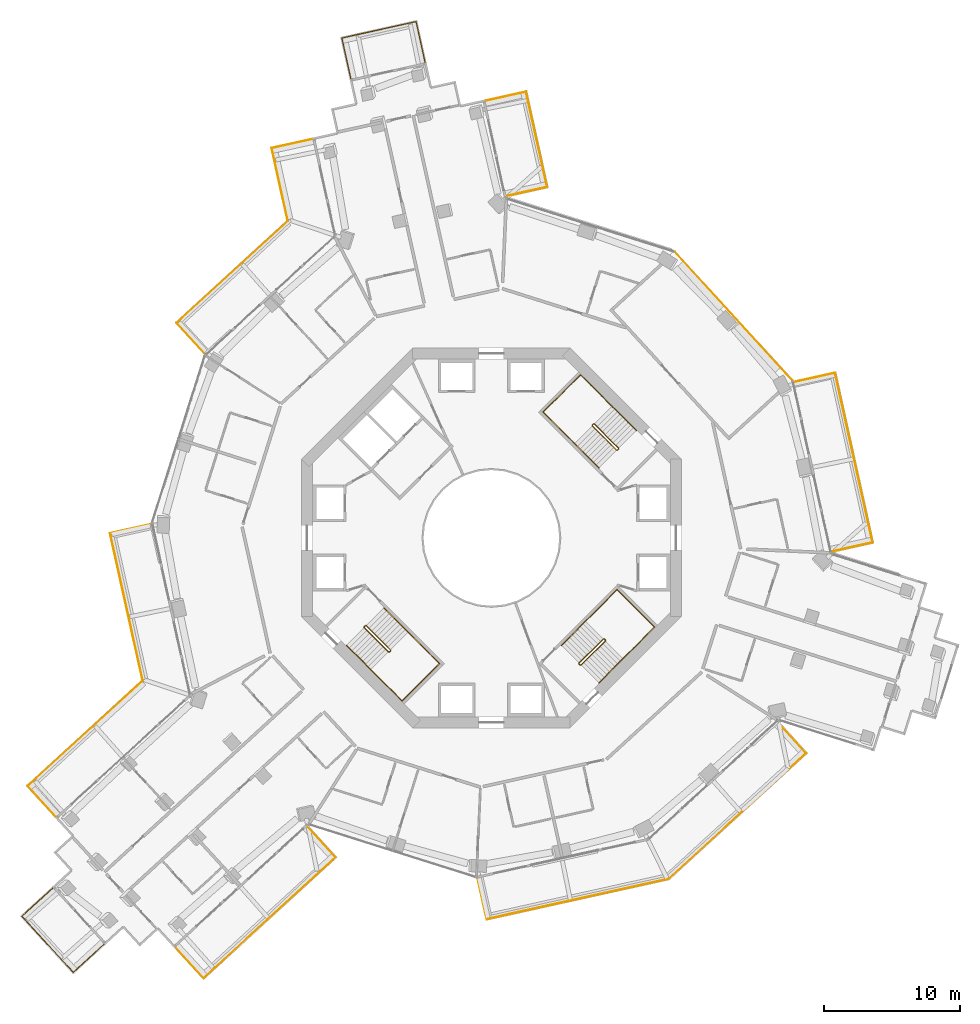
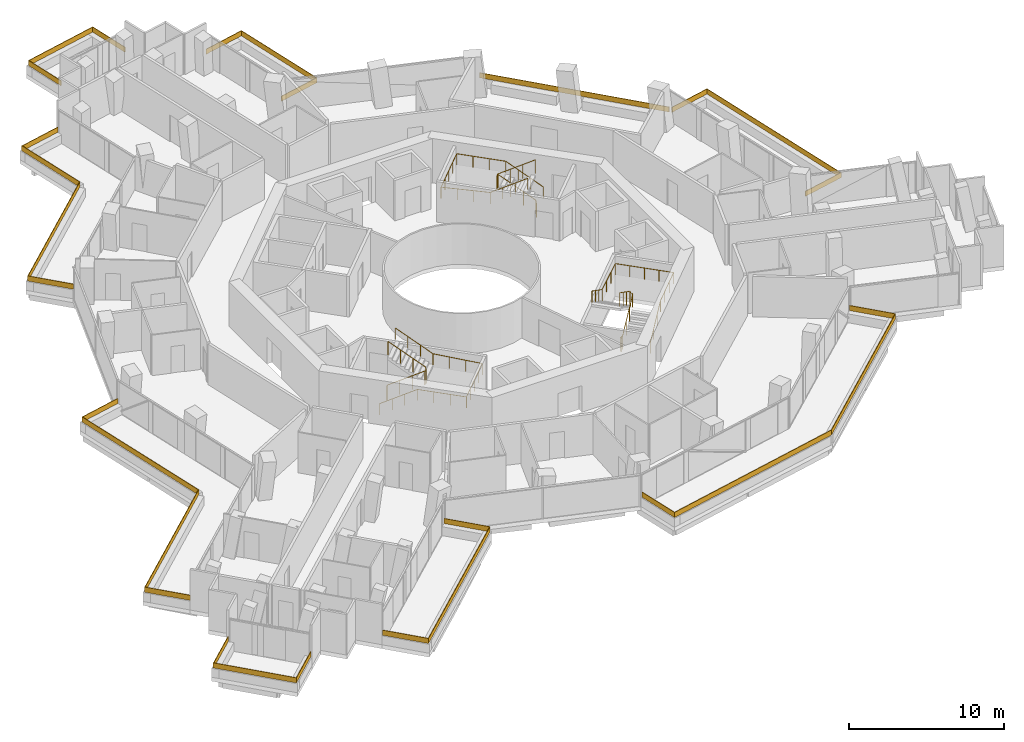
# One storey, part 24 of 24: 15 railings.
"""IFC4 building model written with IfcOpenShell, lengths in metres."""

from ifc_helpers import new_model, si_unit, direction, frame, origin, origin_2d, place, context, subcontext, project, spatial, polyline, rectangle, circle, outline, extrude, material, layer, layer_set, type_object, element, save


model = new_model("IFC4")

# Units and contexts
model_context = context("Model", 3, precision=1e-05, world=origin(), true_north=direction((0.0, 1.0)))
body_context = subcontext(model_context, "Body", "Model", "MODEL_VIEW")
ifc_project = project(units=[si_unit("LENGTHUNIT", "METRE"), si_unit("AREAUNIT", "SQUARE_METRE"), si_unit("VOLUMEUNIT", "CUBIC_METRE"), si_unit("PLANEANGLEUNIT", "RADIAN"), si_unit("MASSUNIT", "GRAM", prefix="KILO")], contexts=[model_context])

# Site, building, storey
site_placement = place(None, origin())
site = spatial("IfcSite", under=ifc_project, at=site_placement, CompositionType="ELEMENT")
building_placement = place(site_placement, origin())
building = spatial("IfcBuilding", under=site, at=building_placement, Name="Verdalira Terraces Hotel", CompositionType="ELEMENT")
storey_placement = place(building_placement, frame((0.0, 0.0, 86.0)))
storey = spatial("IfcBuildingStorey", under=building, at=storey_placement, Name="L19", CompositionType="ELEMENT", Elevation=86.0)

# Railings
ifc_material_1 = material(Name="Laminated glass", Category="glass")
ifc_layer = layer(ifc_material_1, 0.0400390625)
ifc_layer_set = layer_set([ifc_layer], Name="Balcony glass guard 400")
railing_type_1 = type_object("IfcRailingType", Name="Balcony glass guard 400", PredefinedType="GUARDRAIL", material=ifc_layer_set)
railing_1_placement = place(storey_placement, frame((0.0, 0.0, 0.699951)))
element("IfcRailing", 1, at=railing_1_placement, inside=storey, type_object=railing_type_1, Name="Balcony glass guard", PredefinedType="GUARDRAIL", context=body_context, shape_type="SweptSolid", body=[
    extrude(outline(polyline([(-5.568115, 38.022217), (-10.996826, 36.820557), (-10.331299, 33.814453), (-10.370361, 33.805664), (-11.044434, 36.851074), (-5.537598, 38.069824), (-4.86377, 35.024658), (-4.902832, 35.015869), (-5.568115, 38.022217)])), origin(), (0.0, 0.0, 1.0), 0.400146),
])
railing_2_placement = place(storey_placement, frame((0.0, 0.0, 0.699951)))
element("IfcRailing", 2, at=railing_2_placement, inside=storey, type_object=railing_type_1, Name="Balcony glass guard", PredefinedType="GUARDRAIL", context=body_context, shape_type="SweptSolid", body=[
    extrude(outline(polyline([(-16.166504, 28.711914), (-14.980225, 23.351074), (-23.167725, 15.85376), (-21.088379, 13.583008), (-21.11792, 13.555908), (-23.224365, 15.856201), (-15.02417, 23.36499), (-16.214355, 28.742188), (-13.168945, 29.41626), (-13.1604, 29.377197), (-16.166504, 28.711914)])), origin(), (0.0, 0.0, 1.0), 0.400146),
])
railing_3_placement = place(storey_placement, frame((0.0, 0.0, 0.699951)))
element("IfcRailing", 3, at=railing_3_placement, inside=storey, type_object=railing_type_1, Name="Balcony glass guard", PredefinedType="GUARDRAIL", context=body_context, shape_type="SweptSolid", body=[
    extrude(outline(polyline([(-28.071045, 0.321533), (-25.672119, -10.518066), (-34.14624, -18.277832), (-32.066895, -20.548584), (-32.096436, -20.575684), (-34.202881, -18.275391), (-25.716064, -10.50415), (-28.118896, 0.351807), (-25.073486, 1.025879), (-25.064941, 0.986816), (-28.071045, 0.321533)])), origin(), (0.0, 0.0, 1.0), 0.400146),
])
railing_4_placement = place(storey_placement, frame((0.0, 0.0, 0.699951)))
element("IfcRailing", 4, at=railing_4_placement, inside=storey, type_object=railing_type_1, Name="Balcony glass guard", PredefinedType="GUARDRAIL", context=body_context, shape_type="SweptSolid", body=[
    extrude(outline(polyline([(-34.569092, -27.885254), (-30.814453, -31.98584), (-28.543457, -29.906494), (-28.516602, -29.936035), (-30.816895, -32.042236), (-34.625732, -27.882812), (-32.325439, -25.776367), (-32.29834, -25.805908), (-34.569092, -27.885254)])), origin(), (0.0, 0.0, 1.0), 0.400146),
])
railing_5_placement = place(storey_placement, frame((0.0, 0.0, 0.699951)))
element("IfcRailing", 5, at=railing_5_placement, inside=storey, type_object=railing_type_1, Name="Balcony glass guard", PredefinedType="GUARDRAIL", context=body_context, shape_type="SweptSolid", body=[
    extrude(outline(polyline([(-21.207031, -32.408691), (-11.509766, -23.528809), (-13.589111, -21.258057), (-13.55957, -21.230957), (-11.453125, -23.53125), (-21.209473, -32.465088), (-23.315918, -30.164795), (-23.286377, -30.137695), (-21.207031, -32.408691)])), origin(), (0.0, 0.0, 1.0), 0.400146),
])
railing_6_placement = place(storey_placement, frame((0.0, 0.0, 0.699951)))
element("IfcRailing", 6, at=railing_6_placement, inside=storey, type_object=railing_type_1, Name="Balcony glass guard", PredefinedType="GUARDRAIL", context=body_context, shape_type="SweptSolid", body=[
    extrude(outline(polyline([(-0.321533, -28.071045), (13.060059, -25.109375), (23.167725, -15.85376), (21.088379, -13.583008), (21.11792, -13.555908), (23.224365, -15.856201), (13.079102, -25.14624), (-0.351807, -28.118896), (-1.025879, -25.073486), (-0.986816, -25.064941), (-0.321533, -28.071045)])), origin(), (0.0, 0.0, 1.0), 0.400146),
])
railing_7_placement = place(storey_placement, frame((0.0, 0.0, 0.699951)))
element("IfcRailing", 7, at=railing_7_placement, inside=storey, type_object=railing_type_1, Name="Balcony glass guard", PredefinedType="GUARDRAIL", context=body_context, shape_type="SweptSolid", body=[
    extrude(outline(polyline([(28.071045, -0.321533), (25.313721, 12.136963), (22.307373, 11.47168), (22.298828, 11.510742), (25.343994, 12.184814), (28.118896, -0.351807), (25.073486, -1.025879), (25.064941, -0.986816), (28.071045, -0.321533)])), origin(), (0.0, 0.0, 1.0), 0.400146),
])
railing_8_placement = place(storey_placement, frame((0.0, 0.0, 0.699951)))
element("IfcRailing", 8, at=railing_8_placement, inside=storey, type_object=railing_type_1, Name="Balcony glass guard", PredefinedType="GUARDRAIL", context=body_context, shape_type="SweptSolid", body=[
    extrude(outline(polyline([(4.085449, 25.872559), (2.540771, 32.852295), (-0.465576, 32.187012), (-0.474121, 32.226074), (2.571045, 32.899902), (4.133301, 25.842041), (1.087891, 25.168213), (1.079346, 25.207275), (4.085449, 25.872559)])), origin(), (0.0, 0.0, 1.0), 0.400146),
])
railing_9_placement = place(storey_placement, frame((17.854004, 16.348633, 0.699951), z_axis=(0.0, 0.0, 1.0), x_axis=(-0.675332808, 0.737513117, 0.0)))
element("IfcRailing", 9, at=railing_9_placement, inside=storey, type_object=railing_type_1, Name="Loggia glass guard", PredefinedType="GUARDRAIL", context=body_context, shape_type="SweptSolid", body=[
    extrude(rectangle(XDim=12.840088, YDim=0.040039, at=origin_2d()), origin(), (0.0, 0.0, 1.0), 0.399902),
])
ifc_material_2 = material(Name="Stainless steel", Category="steel")
railing_type_2 = type_object("IfcRailingType", Name="Stair guard 1100", PredefinedType="GUARDRAIL", material=ifc_material_2)
railing_10_placement = place(storey_placement, frame((9.369141, 6.540771, 0.0)))
element("IfcRailing", 10, at=railing_10_placement, inside=storey, type_object=railing_type_2, Name="L19 ST1 stair guard 1", PredefinedType="GUARDRAIL", context=body_context, shape_type="SweptSolid", body=[
    extrude(circle(Radius=0.023926, at=origin_2d()), frame((0.0, 0.0, 1.076172), z_axis=(-0.707106781, -0.707106781, 0.0), x_axis=(0.707106781, -0.707106781, 0.0)), (0.0, 0.0, 1.0), 0.100098),
    extrude(circle(Radius=0.023926, at=origin_2d()), frame((-0.070801, -0.070801, 1.076172), z_axis=(0.300162975, 0.599290904, 0.742127078), x_axis=(-0.894118129, 0.447831187, 0.0)), (0.0, 0.0, 1.0), 0.23584),
    extrude(circle(Radius=0.023926, at=origin_2d()), frame((0.0, 0.070557, 1.250977), z_axis=(-0.599637504, 0.599637504, 0.52997144), x_axis=(-0.707106781, -0.707106781, 0.0)), (0.0, 0.0, 1.0), 2.97168),
    extrude(circle(Radius=0.023926, at=origin_2d()), frame((-1.781982, 1.852539, 2.826172), z_axis=(-1.0, 0.0, 0.0), x_axis=(0.0, -1.0, 0.0)), (0.0, 0.0, 1.0), 0.070557),
    extrude(circle(Radius=0.023926, at=origin_2d()), frame((-1.852539, 1.852539, 2.826172), z_axis=(-0.70832698, -0.705884473, 0.0), x_axis=(0.705884473, -0.70832698, 0.0)), (0.0, 0.0, 1.0), 0.099854),
    extrude(circle(Radius=0.023926, at=origin_2d()), frame((-1.92334, 1.781982, 2.826172), z_axis=(0.0, -0.374954687, 0.92704314), x_axis=(1.0, 0.0, 0.0)), (0.0, 0.0, 1.0), 0.188721),
    extrude(circle(Radius=0.023926, at=origin_2d()), frame((-1.92334, 1.711182, 3.000977), z_axis=(0.599637504, -0.599637504, 0.52997144), x_axis=(0.707106781, 0.707106781, 0.0)), (0.0, 0.0, 1.0), 2.97168),
    extrude(circle(Radius=0.020996, at=origin_2d()), origin(), (0.0, 0.0, 1.0), 1.052002),
    extrude(circle(Radius=0.020996, at=origin_2d()), frame((-0.070801, -0.070801, 0.0)), (0.0, 0.0, 1.0), 1.052002),
    extrude(circle(Radius=0.020996, at=origin_2d()), frame((0.0, 0.070557, 0.175049)), (0.0, 0.0, 1.0), 1.052002),
    extrude(circle(Radius=0.020996, at=origin_2d()), frame((-0.593994, 0.664551, 0.699951)), (0.0, 0.0, 1.0), 1.052002),
    extrude(circle(Radius=0.020996, at=origin_2d()), frame((-1.187988, 1.258545, 1.225098)), (0.0, 0.0, 1.0), 1.052002),
    extrude(circle(Radius=0.020996, at=origin_2d()), frame((-1.781982, 1.852539, 1.75)), (0.0, 0.0, 1.0), 1.052002),
    extrude(circle(Radius=0.020996, at=origin_2d()), frame((-1.852539, 1.852539, 1.75)), (0.0, 0.0, 1.0), 1.052002),
    extrude(circle(Radius=0.020996, at=origin_2d()), frame((-1.92334, 1.781982, 1.75)), (0.0, 0.0, 1.0), 1.052002),
    extrude(circle(Radius=0.020996, at=origin_2d()), frame((-1.92334, 1.711182, 1.925049)), (0.0, 0.0, 1.0), 1.052002),
    extrude(circle(Radius=0.020996, at=origin_2d()), frame((-1.329346, 1.117188, 2.449951)), (0.0, 0.0, 1.0), 1.052002),
    extrude(circle(Radius=0.020996, at=origin_2d()), frame((-0.735352, 0.523193, 2.975098)), (0.0, 0.0, 1.0), 1.052002),
    extrude(circle(Radius=0.020996, at=origin_2d()), frame((-0.141357, -0.070801, 3.5)), (0.0, 0.0, 1.0), 1.052002),
])
railing_11_placement = place(storey_placement, frame((-9.369141, -6.540771, 0.0)))
element("IfcRailing", 11, at=railing_11_placement, inside=storey, type_object=railing_type_2, Name="L19 ST2 stair guard 1", PredefinedType="GUARDRAIL", context=body_context, shape_type="SweptSolid", body=[
    extrude(circle(Radius=0.023926, at=origin_2d()), frame((0.0, 0.0, 1.076172), z_axis=(0.707106781, 0.707106781, 0.0), x_axis=(-0.707106781, 0.707106781, 0.0)), (0.0, 0.0, 1.0), 0.100098),
    extrude(circle(Radius=0.023926, at=origin_2d()), frame((0.070801, 0.070801, 1.076172), z_axis=(-0.300162975, -0.599290904, 0.742127078), x_axis=(0.894118129, -0.447831187, 0.0)), (0.0, 0.0, 1.0), 0.23584),
    extrude(circle(Radius=0.023926, at=origin_2d()), frame((0.0, -0.070557, 1.250977), z_axis=(0.599637504, -0.599637504, 0.52997144), x_axis=(0.707106781, 0.707106781, 0.0)), (0.0, 0.0, 1.0), 2.97168),
    extrude(circle(Radius=0.023926, at=origin_2d()), frame((1.781982, -1.852539, 2.826172), z_axis=(1.0, 0.0, 0.0), x_axis=(0.0, 1.0, 0.0)), (0.0, 0.0, 1.0), 0.070557),
    extrude(circle(Radius=0.023926, at=origin_2d()), frame((1.852539, -1.852539, 2.826172), z_axis=(0.70832698, 0.705884473, 0.0), x_axis=(-0.705884473, 0.70832698, 0.0)), (0.0, 0.0, 1.0), 0.099854),
    extrude(circle(Radius=0.023926, at=origin_2d()), frame((1.92334, -1.781982, 2.826172), z_axis=(0.0, 0.374954687, 0.92704314), x_axis=(-1.0, 0.0, 0.0)), (0.0, 0.0, 1.0), 0.188721),
    extrude(circle(Radius=0.023926, at=origin_2d()), frame((1.92334, -1.711182, 3.000977), z_axis=(-0.599637504, 0.599637504, 0.52997144), x_axis=(-0.707106781, -0.707106781, 0.0)), (0.0, 0.0, 1.0), 2.97168),
    extrude(circle(Radius=0.020996, at=origin_2d()), origin(), (0.0, 0.0, 1.0), 1.052002),
    extrude(circle(Radius=0.020996, at=origin_2d()), frame((0.070801, 0.070801, 0.0)), (0.0, 0.0, 1.0), 1.052002),
    extrude(circle(Radius=0.020996, at=origin_2d()), frame((0.0, -0.070557, 0.175049)), (0.0, 0.0, 1.0), 1.052002),
    extrude(circle(Radius=0.020996, at=origin_2d()), frame((0.593994, -0.664551, 0.699951)), (0.0, 0.0, 1.0), 1.052002),
    extrude(circle(Radius=0.020996, at=origin_2d()), frame((1.187988, -1.258545, 1.225098)), (0.0, 0.0, 1.0), 1.052002),
    extrude(circle(Radius=0.020996, at=origin_2d()), frame((1.781982, -1.852539, 1.75)), (0.0, 0.0, 1.0), 1.052002),
    extrude(circle(Radius=0.020996, at=origin_2d()), frame((1.852539, -1.852539, 1.75)), (0.0, 0.0, 1.0), 1.052002),
    extrude(circle(Radius=0.020996, at=origin_2d()), frame((1.92334, -1.781982, 1.75)), (0.0, 0.0, 1.0), 1.052002),
    extrude(circle(Radius=0.020996, at=origin_2d()), frame((1.92334, -1.711182, 1.925049)), (0.0, 0.0, 1.0), 1.052002),
    extrude(circle(Radius=0.020996, at=origin_2d()), frame((1.329346, -1.117188, 2.449951)), (0.0, 0.0, 1.0), 1.052002),
    extrude(circle(Radius=0.020996, at=origin_2d()), frame((0.735352, -0.523193, 2.975098)), (0.0, 0.0, 1.0), 1.052002),
    extrude(circle(Radius=0.020996, at=origin_2d()), frame((0.141357, 0.070801, 3.5)), (0.0, 0.0, 1.0), 1.052002),
])
railing_12_placement = place(storey_placement, frame((6.540771, -9.369141, 0.0)))
element("IfcRailing", 12, at=railing_12_placement, inside=storey, type_object=railing_type_2, Name="L19 ST3 stair guard 1", PredefinedType="GUARDRAIL", context=body_context, shape_type="SweptSolid", body=[
    extrude(circle(Radius=0.023926, at=origin_2d()), frame((0.0, 0.0, 1.076172), z_axis=(-0.707106781, 0.707106781, 0.0), x_axis=(-0.707106781, -0.707106781, 0.0)), (0.0, 0.0, 1.0), 0.100098),
    extrude(circle(Radius=0.023926, at=origin_2d()), frame((-0.070801, 0.070801, 1.076172), z_axis=(0.599290904, -0.300162975, 0.742127078), x_axis=(0.447831187, 0.894118129, 0.0)), (0.0, 0.0, 1.0), 0.23584),
    extrude(circle(Radius=0.023926, at=origin_2d()), frame((0.070557, 0.0, 1.250977), z_axis=(0.599637504, 0.599637504, 0.52997144), x_axis=(-0.707106781, 0.707106781, 0.0)), (0.0, 0.0, 1.0), 2.97168),
    extrude(circle(Radius=0.023926, at=origin_2d()), frame((1.852539, 1.781982, 2.826172), z_axis=(0.0, 1.0, 0.0), x_axis=(-1.0, 0.0, 0.0)), (0.0, 0.0, 1.0), 0.070557),
    extrude(circle(Radius=0.023926, at=origin_2d()), frame((1.852539, 1.852539, 2.826172), z_axis=(-0.705884473, 0.70832698, 0.0), x_axis=(-0.70832698, -0.705884473, 0.0)), (0.0, 0.0, 1.0), 0.099854),
    extrude(circle(Radius=0.023926, at=origin_2d()), frame((1.781982, 1.92334, 2.826172), z_axis=(-0.374954687, 0.0, 0.92704314), x_axis=(0.0, -1.0, 0.0)), (0.0, 0.0, 1.0), 0.188721),
    extrude(circle(Radius=0.023926, at=origin_2d()), frame((1.711182, 1.92334, 3.000977), z_axis=(-0.599637504, -0.599637504, 0.52997144), x_axis=(0.707106781, -0.707106781, 0.0)), (0.0, 0.0, 1.0), 2.97168),
    extrude(circle(Radius=0.020996, at=origin_2d()), origin(), (0.0, 0.0, 1.0), 1.052002),
    extrude(circle(Radius=0.020996, at=origin_2d()), frame((-0.070801, 0.070801, 0.0)), (0.0, 0.0, 1.0), 1.052002),
    extrude(circle(Radius=0.020996, at=origin_2d()), frame((0.070557, 0.0, 0.175049)), (0.0, 0.0, 1.0), 1.052002),
    extrude(circle(Radius=0.020996, at=origin_2d()), frame((0.664551, 0.593994, 0.699951)), (0.0, 0.0, 1.0), 1.052002),
    extrude(circle(Radius=0.020996, at=origin_2d()), frame((1.258545, 1.187988, 1.225098)), (0.0, 0.0, 1.0), 1.052002),
    extrude(circle(Radius=0.020996, at=origin_2d()), frame((1.852539, 1.781982, 1.75)), (0.0, 0.0, 1.0), 1.052002),
    extrude(circle(Radius=0.020996, at=origin_2d()), frame((1.852539, 1.852539, 1.75)), (0.0, 0.0, 1.0), 1.052002),
    extrude(circle(Radius=0.020996, at=origin_2d()), frame((1.781982, 1.92334, 1.75)), (0.0, 0.0, 1.0), 1.052002),
    extrude(circle(Radius=0.020996, at=origin_2d()), frame((1.711182, 1.92334, 1.925049)), (0.0, 0.0, 1.0), 1.052002),
    extrude(circle(Radius=0.020996, at=origin_2d()), frame((1.117188, 1.329346, 2.449951)), (0.0, 0.0, 1.0), 1.052002),
    extrude(circle(Radius=0.020996, at=origin_2d()), frame((0.523193, 0.735352, 2.975098)), (0.0, 0.0, 1.0), 1.052002),
    extrude(circle(Radius=0.020996, at=origin_2d()), frame((-0.070801, 0.141357, 3.5)), (0.0, 0.0, 1.0), 1.052002),
])
ifc_material_3 = material(Name="Stainless steel", Category="steel")
railing_type_3 = type_object("IfcRailingType", Name="Stair handrail 900", PredefinedType="HANDRAIL", material=ifc_material_3)
railing_13_placement = place(storey_placement, frame((10.677246, 7.919678, 0.175049)))
element("IfcRailing", 13, at=railing_13_placement, inside=storey, type_object=railing_type_3, Name="L19 ST1 stair handrail 1", PredefinedType="HANDRAIL", context=body_context, shape_type="SweptSolid", body=[
    extrude(circle(Radius=0.023926, at=origin_2d()), frame((0.0, 0.0, 0.875977), z_axis=(-0.599614426, 0.599614426, 0.530023659), x_axis=(-0.707106781, -0.707106781, 0.0)), (0.0, 0.0, 1.0), 2.971436),
    extrude(circle(Radius=0.023926, at=origin_2d()), frame((-1.781738, 1.781738, 2.450684), z_axis=(-0.707106781, 0.707106781, 0.0), x_axis=(-0.707106781, -0.707106781, 0.0)), (0.0, 0.0, 1.0), 3.280029),
    extrude(circle(Radius=0.023926, at=origin_2d()), frame((-4.101074, 4.101074, 2.450684), z_axis=(-0.707138081, -0.70707548, 0.0), x_axis=(0.70707548, -0.707138081, 0.0)), (0.0, 0.0, 1.0), 3.899902),
    extrude(circle(Radius=0.023926, at=origin_2d()), frame((-6.858887, 1.343506, 2.450684), z_axis=(0.706101958, -0.706101958, 0.053292116), x_axis=(0.707106781, 0.707106781, 0.0)), (0.0, 0.0, 1.0), 3.284668),
    extrude(circle(Radius=0.023926, at=origin_2d()), frame((-4.539551, -0.97583, 2.625977), z_axis=(0.599637504, -0.599637504, 0.52997144), x_axis=(0.707106781, 0.707106781, 0.0)), (0.0, 0.0, 1.0), 2.97168),
    extrude(circle(Radius=0.020996, at=origin_2d()), origin(), (0.0, 0.0, 1.0), 0.851807),
    extrude(circle(Radius=0.020996, at=origin_2d()), frame((-0.593994, 0.593994, 0.524902)), (0.0, 0.0, 1.0), 0.851807),
    extrude(circle(Radius=0.020996, at=origin_2d()), frame((-1.187744, 1.187744, 1.050049)), (0.0, 0.0, 1.0), 0.851807),
    extrude(circle(Radius=0.020996, at=origin_2d()), frame((-1.781738, 1.781738, 1.574951)), (0.0, 0.0, 1.0), 0.851807),
    extrude(circle(Radius=0.020996, at=origin_2d()), frame((-2.554932, 2.554932, 1.574951)), (0.0, 0.0, 1.0), 0.851807),
    extrude(circle(Radius=0.020996, at=origin_2d()), frame((-3.327881, 3.327881, 1.574951)), (0.0, 0.0, 1.0), 0.851807),
    extrude(circle(Radius=0.020996, at=origin_2d()), frame((-4.101074, 4.101074, 1.574951)), (0.0, 0.0, 1.0), 0.851807),
    extrude(circle(Radius=0.020996, at=origin_2d()), frame((-4.790527, 3.411621, 1.574951)), (0.0, 0.0, 1.0), 0.851807),
    extrude(circle(Radius=0.020996, at=origin_2d()), frame((-5.47998, 2.722168, 1.574951)), (0.0, 0.0, 1.0), 0.851807),
    extrude(circle(Radius=0.020996, at=origin_2d()), frame((-6.169434, 2.032959, 1.574951)), (0.0, 0.0, 1.0), 0.851807),
    extrude(circle(Radius=0.020996, at=origin_2d()), frame((-6.858887, 1.343506, 1.574951)), (0.0, 0.0, 1.0), 0.851807),
    extrude(circle(Radius=0.020996, at=origin_2d()), frame((-6.085693, 0.570312, 1.633301)), (0.0, 0.0, 1.0), 0.851807),
    extrude(circle(Radius=0.020996, at=origin_2d()), frame((-5.312744, -0.202637, 1.69165)), (0.0, 0.0, 1.0), 0.851807),
    extrude(circle(Radius=0.020996, at=origin_2d()), frame((-4.539551, -0.97583, 1.75)), (0.0, 0.0, 1.0), 0.851807),
    extrude(circle(Radius=0.020996, at=origin_2d()), frame((-3.945557, -1.569824, 2.274902)), (0.0, 0.0, 1.0), 0.851807),
    extrude(circle(Radius=0.020996, at=origin_2d()), frame((-3.351562, -2.163818, 2.800049)), (0.0, 0.0, 1.0), 0.851807),
    extrude(circle(Radius=0.020996, at=origin_2d()), frame((-2.757568, -2.757812, 3.324951)), (0.0, 0.0, 1.0), 0.851807),
])
railing_14_placement = place(storey_placement, frame((-10.677246, -7.919678, 0.175049)))
element("IfcRailing", 14, at=railing_14_placement, inside=storey, type_object=railing_type_3, Name="L19 ST2 stair handrail 1", PredefinedType="HANDRAIL", context=body_context, shape_type="SweptSolid", body=[
    extrude(circle(Radius=0.023926, at=origin_2d()), frame((0.0, 0.0, 0.875977), z_axis=(0.599614426, -0.599614426, 0.530023659), x_axis=(0.707106781, 0.707106781, 0.0)), (0.0, 0.0, 1.0), 2.971436),
    extrude(circle(Radius=0.023926, at=origin_2d()), frame((1.781738, -1.781738, 2.450684), z_axis=(0.707106781, -0.707106781, 0.0), x_axis=(0.707106781, 0.707106781, 0.0)), (0.0, 0.0, 1.0), 3.280029),
    extrude(circle(Radius=0.023926, at=origin_2d()), frame((4.101074, -4.101074, 2.450684), z_axis=(0.707138081, 0.70707548, 0.0), x_axis=(-0.70707548, 0.707138081, 0.0)), (0.0, 0.0, 1.0), 3.899902),
    extrude(circle(Radius=0.023926, at=origin_2d()), frame((6.858887, -1.343506, 2.450684), z_axis=(-0.706101958, 0.706101958, 0.053292116), x_axis=(-0.707106781, -0.707106781, 0.0)), (0.0, 0.0, 1.0), 3.284668),
    extrude(circle(Radius=0.023926, at=origin_2d()), frame((4.539551, 0.97583, 2.625977), z_axis=(-0.599637504, 0.599637504, 0.52997144), x_axis=(-0.707106781, -0.707106781, 0.0)), (0.0, 0.0, 1.0), 2.97168),
    extrude(circle(Radius=0.020996, at=origin_2d()), origin(), (0.0, 0.0, 1.0), 0.851807),
    extrude(circle(Radius=0.020996, at=origin_2d()), frame((0.593994, -0.593994, 0.524902)), (0.0, 0.0, 1.0), 0.851807),
    extrude(circle(Radius=0.020996, at=origin_2d()), frame((1.187744, -1.187744, 1.050049)), (0.0, 0.0, 1.0), 0.851807),
    extrude(circle(Radius=0.020996, at=origin_2d()), frame((1.781738, -1.781738, 1.574951)), (0.0, 0.0, 1.0), 0.851807),
    extrude(circle(Radius=0.020996, at=origin_2d()), frame((2.554932, -2.554932, 1.574951)), (0.0, 0.0, 1.0), 0.851807),
    extrude(circle(Radius=0.020996, at=origin_2d()), frame((3.327881, -3.327881, 1.574951)), (0.0, 0.0, 1.0), 0.851807),
    extrude(circle(Radius=0.020996, at=origin_2d()), frame((4.101074, -4.101074, 1.574951)), (0.0, 0.0, 1.0), 0.851807),
    extrude(circle(Radius=0.020996, at=origin_2d()), frame((4.790527, -3.411621, 1.574951)), (0.0, 0.0, 1.0), 0.851807),
    extrude(circle(Radius=0.020996, at=origin_2d()), frame((5.47998, -2.722168, 1.574951)), (0.0, 0.0, 1.0), 0.851807),
    extrude(circle(Radius=0.020996, at=origin_2d()), frame((6.169434, -2.032959, 1.574951)), (0.0, 0.0, 1.0), 0.851807),
    extrude(circle(Radius=0.020996, at=origin_2d()), frame((6.858887, -1.343506, 1.574951)), (0.0, 0.0, 1.0), 0.851807),
    extrude(circle(Radius=0.020996, at=origin_2d()), frame((6.085693, -0.570312, 1.633301)), (0.0, 0.0, 1.0), 0.851807),
    extrude(circle(Radius=0.020996, at=origin_2d()), frame((5.312744, 0.202637, 1.69165)), (0.0, 0.0, 1.0), 0.851807),
    extrude(circle(Radius=0.020996, at=origin_2d()), frame((4.539551, 0.97583, 1.75)), (0.0, 0.0, 1.0), 0.851807),
    extrude(circle(Radius=0.020996, at=origin_2d()), frame((3.945557, 1.569824, 2.274902)), (0.0, 0.0, 1.0), 0.851807),
    extrude(circle(Radius=0.020996, at=origin_2d()), frame((3.351562, 2.163818, 2.800049)), (0.0, 0.0, 1.0), 0.851807),
    extrude(circle(Radius=0.020996, at=origin_2d()), frame((2.757568, 2.757812, 3.324951)), (0.0, 0.0, 1.0), 0.851807),
])
railing_15_placement = place(storey_placement, frame((7.919678, -10.677246, 0.175049)))
element("IfcRailing", 15, at=railing_15_placement, inside=storey, type_object=railing_type_3, Name="L19 ST3 stair handrail 1", PredefinedType="HANDRAIL", context=body_context, shape_type="SweptSolid", body=[
    extrude(circle(Radius=0.023926, at=origin_2d()), frame((0.0, 0.0, 0.875977), z_axis=(0.599614426, 0.599614426, 0.530023659), x_axis=(-0.707106781, 0.707106781, 0.0)), (0.0, 0.0, 1.0), 2.971436),
    extrude(circle(Radius=0.023926, at=origin_2d()), frame((1.781738, 1.781738, 2.450684), z_axis=(0.707106781, 0.707106781, 0.0), x_axis=(-0.707106781, 0.707106781, 0.0)), (0.0, 0.0, 1.0), 3.280029),
    extrude(circle(Radius=0.023926, at=origin_2d()), frame((4.101074, 4.101074, 2.450684), z_axis=(-0.70707548, 0.707138081, 0.0), x_axis=(-0.707138081, -0.70707548, 0.0)), (0.0, 0.0, 1.0), 3.899902),
    extrude(circle(Radius=0.023926, at=origin_2d()), frame((1.343506, 6.858887, 2.450684), z_axis=(-0.706101958, -0.706101958, 0.053292116), x_axis=(0.707106781, -0.707106781, 0.0)), (0.0, 0.0, 1.0), 3.284668),
    extrude(circle(Radius=0.023926, at=origin_2d()), frame((-0.97583, 4.539551, 2.625977), z_axis=(-0.599637504, -0.599637504, 0.52997144), x_axis=(0.707106781, -0.707106781, 0.0)), (0.0, 0.0, 1.0), 2.97168),
    extrude(circle(Radius=0.020996, at=origin_2d()), origin(), (0.0, 0.0, 1.0), 0.851807),
    extrude(circle(Radius=0.020996, at=origin_2d()), frame((0.593994, 0.593994, 0.524902)), (0.0, 0.0, 1.0), 0.851807),
    extrude(circle(Radius=0.020996, at=origin_2d()), frame((1.187744, 1.187744, 1.050049)), (0.0, 0.0, 1.0), 0.851807),
    extrude(circle(Radius=0.020996, at=origin_2d()), frame((1.781738, 1.781738, 1.574951)), (0.0, 0.0, 1.0), 0.851807),
    extrude(circle(Radius=0.020996, at=origin_2d()), frame((2.554932, 2.554932, 1.574951)), (0.0, 0.0, 1.0), 0.851807),
    extrude(circle(Radius=0.020996, at=origin_2d()), frame((3.327881, 3.327881, 1.574951)), (0.0, 0.0, 1.0), 0.851807),
    extrude(circle(Radius=0.020996, at=origin_2d()), frame((4.101074, 4.101074, 1.574951)), (0.0, 0.0, 1.0), 0.851807),
    extrude(circle(Radius=0.020996, at=origin_2d()), frame((3.411621, 4.790527, 1.574951)), (0.0, 0.0, 1.0), 0.851807),
    extrude(circle(Radius=0.020996, at=origin_2d()), frame((2.722168, 5.47998, 1.574951)), (0.0, 0.0, 1.0), 0.851807),
    extrude(circle(Radius=0.020996, at=origin_2d()), frame((2.032959, 6.169434, 1.574951)), (0.0, 0.0, 1.0), 0.851807),
    extrude(circle(Radius=0.020996, at=origin_2d()), frame((1.343506, 6.858887, 1.574951)), (0.0, 0.0, 1.0), 0.851807),
    extrude(circle(Radius=0.020996, at=origin_2d()), frame((0.570312, 6.085693, 1.633301)), (0.0, 0.0, 1.0), 0.851807),
    extrude(circle(Radius=0.020996, at=origin_2d()), frame((-0.202637, 5.312744, 1.69165)), (0.0, 0.0, 1.0), 0.851807),
    extrude(circle(Radius=0.020996, at=origin_2d()), frame((-0.97583, 4.539551, 1.75)), (0.0, 0.0, 1.0), 0.851807),
    extrude(circle(Radius=0.020996, at=origin_2d()), frame((-1.569824, 3.945557, 2.274902)), (0.0, 0.0, 1.0), 0.851807),
    extrude(circle(Radius=0.020996, at=origin_2d()), frame((-2.163818, 3.351562, 2.800049)), (0.0, 0.0, 1.0), 0.851807),
    extrude(circle(Radius=0.020996, at=origin_2d()), frame((-2.757812, 2.757568, 3.324951)), (0.0, 0.0, 1.0), 0.851807),
])

save(model, "model.ifc")
